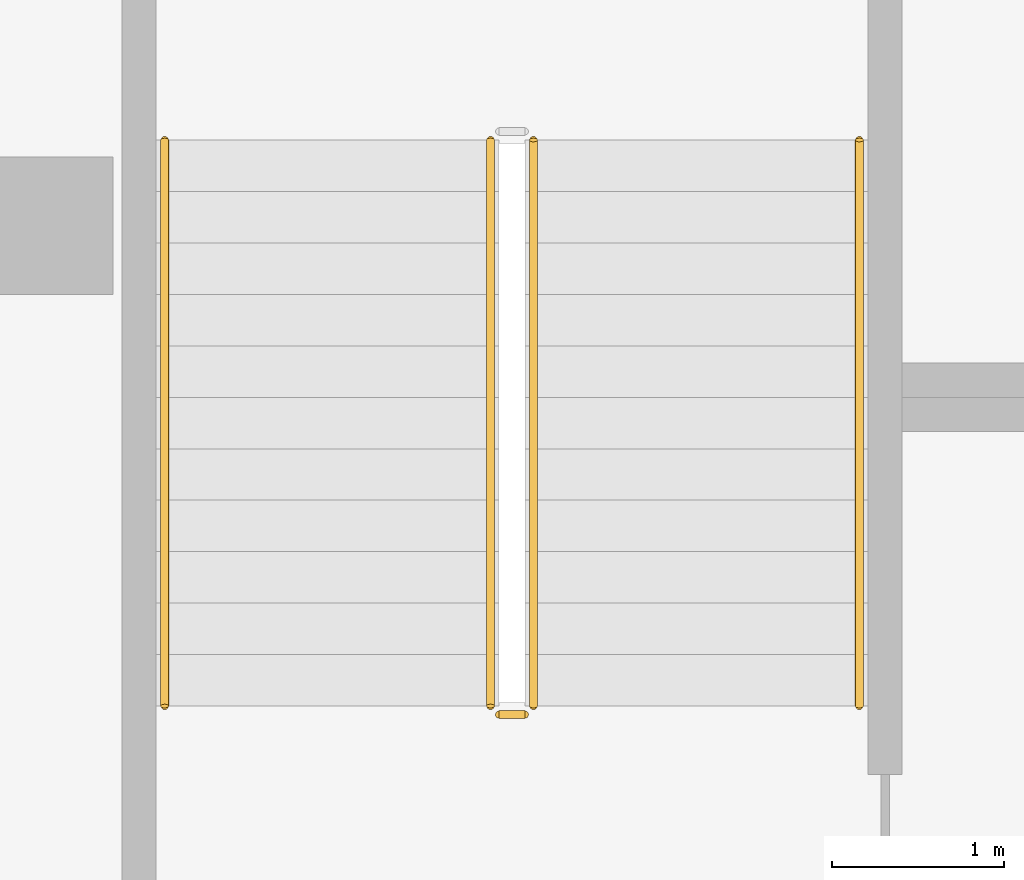
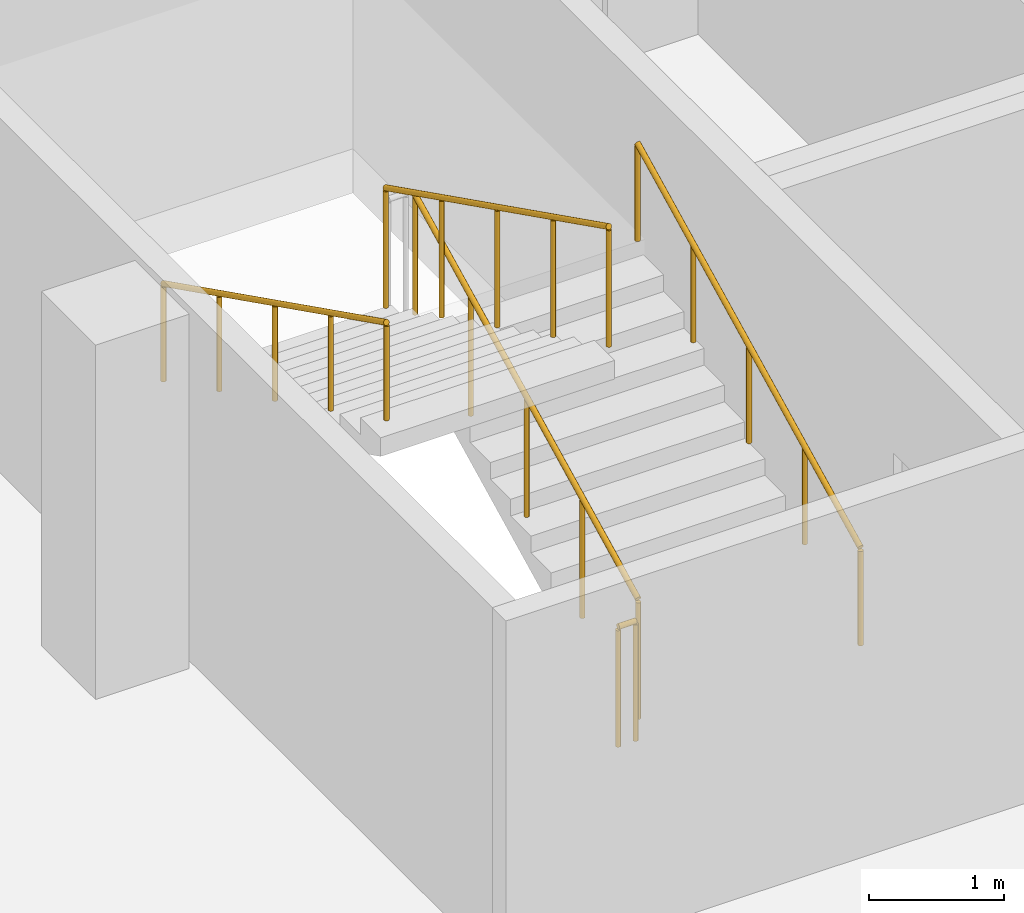
# One storey, part 23 of 37: 5 railings.
"""IFC4 building model written with IfcOpenShell, lengths in metres."""

from ifc_helpers import new_model, si_unit, direction, frame, origin, origin_2d, place, context, subcontext, project, spatial, circle, extrude, material, type_object, element, save


model = new_model("IFC4")

# Units and contexts
model_context = context("Model", 3, precision=1e-05, world=origin(), true_north=direction((0.0, 1.0)))
body_context = subcontext(model_context, "Body", "Model", "MODEL_VIEW")
ifc_project = project(units=[si_unit("LENGTHUNIT", "METRE"), si_unit("AREAUNIT", "SQUARE_METRE"), si_unit("VOLUMEUNIT", "CUBIC_METRE"), si_unit("PLANEANGLEUNIT", "RADIAN"), si_unit("MASSUNIT", "GRAM", prefix="KILO")], contexts=[model_context])

# Site, building, storey
site_placement = place(None, origin())
site = spatial("IfcSite", under=ifc_project, at=site_placement, CompositionType="ELEMENT")
building_placement = place(site_placement, origin())
building = spatial("IfcBuilding", under=site, at=building_placement, Name="Tamra Quay Hotel Tower", CompositionType="ELEMENT")
storey_placement = place(building_placement, frame((0.0, 0.0, -7.199951171875)))
storey = spatial("IfcBuildingStorey", under=building, at=storey_placement, Name="B2", CompositionType="ELEMENT", Elevation=-7.199951171875)

# Railings
ifc_material_1 = material(Name="Basement stair guard 1100")
railing_type_1 = type_object("IfcRailingType", Name="Basement stair guard 1100", PredefinedType="GUARDRAIL", material=ifc_material_1)
railing_1_placement = place(storey_placement, frame((-19.050048828125, -50.800048828125, 0.14990234375)))
element("IfcRailing", 1, at=railing_1_placement, inside=storey, type_object=railing_type_1, Name="BSG", PredefinedType="GUARDRAIL", context=body_context, shape_type="SweptSolid", body=[
    extrude(circle(Radius=0.02392578125, at=origin_2d()), frame((0.0, 0.0, 1.076171875), z_axis=(0.0, 0.894413956696, 0.447240063129), x_axis=(-1.0, 0.0, 0.0)), (0.0, 0.0, 1.0), 3.689697265625),
    extrude(circle(Radius=0.02099609375, at=origin_2d()), origin(), (0.0, 0.0, 1.0), 1.052001953125),
    extrude(circle(Radius=0.02099609375, at=origin_2d()), frame((0.0, 0.824951171875, 0.41259765625)), (0.0, 0.0, 1.0), 1.052001953125),
    extrude(circle(Radius=0.02099609375, at=origin_2d()), frame((0.0, 1.64990234375, 0.8251953125)), (0.0, 0.0, 1.0), 1.052001953125),
    extrude(circle(Radius=0.02099609375, at=origin_2d()), frame((0.0, 2.47509765625, 1.237548828125)), (0.0, 0.0, 1.0), 1.052001953125),
    extrude(circle(Radius=0.02099609375, at=origin_2d()), frame((0.0, 3.300048828125, 1.650146484375)), (0.0, 0.0, 1.0), 1.052001953125),
])
railing_2_placement = place(storey_placement, frame((-19.300048828125, -47.5, 1.949951171875)))
element("IfcRailing", 2, at=railing_2_placement, inside=storey, type_object=railing_type_1, Name="BSG", PredefinedType="GUARDRAIL", context=body_context, shape_type="SweptSolid", body=[
    extrude(circle(Radius=0.02392578125, at=origin_2d()), frame((0.0, 0.0, 1.076171875), z_axis=(0.0, -0.894440424912, 0.447187126696), x_axis=(1.0, 0.0, 0.0)), (0.0, 0.0, 1.0), 3.689453125),
    extrude(circle(Radius=0.02099609375, at=origin_2d()), origin(), (0.0, 0.0, 1.0), 1.052001953125),
    extrude(circle(Radius=0.02099609375, at=origin_2d()), frame((0.0, -0.824951171875, 0.41259765625)), (0.0, 0.0, 1.0), 1.052001953125),
    extrude(circle(Radius=0.02099609375, at=origin_2d()), frame((0.0, -1.64990234375, 0.824951171875)), (0.0, 0.0, 1.0), 1.052001953125),
    extrude(circle(Radius=0.02099609375, at=origin_2d()), frame((0.0, -2.47509765625, 1.2373046875)), (0.0, 0.0, 1.0), 1.052001953125),
    extrude(circle(Radius=0.02099609375, at=origin_2d()), frame((0.0, -3.300048828125, 1.64990234375)), (0.0, 0.0, 1.0), 1.052001953125),
])
railing_3_placement = place(storey_placement, frame((-19.10009765625, -50.85009765625, 0.0)))
element("IfcRailing", 3, at=railing_3_placement, inside=storey, type_object=railing_type_1, Name="BSG", PredefinedType="GUARDRAIL", context=body_context, shape_type="SweptSolid", body=[
    extrude(circle(Radius=0.02392578125, at=origin_2d()), frame((0.0, 0.0, 1.076171875), z_axis=(-1.0, 0.0, 0.0), x_axis=(0.0, -1.0, 0.0)), (0.0, 0.0, 1.0), 0.14990234375),
    extrude(circle(Radius=0.02099609375, at=origin_2d()), origin(), (0.0, 0.0, 1.0), 1.052001953125),
    extrude(circle(Radius=0.02099609375, at=origin_2d()), frame((-0.14990234375, 0.0, 0.0)), (0.0, 0.0, 1.0), 1.052001953125),
])
ifc_material_2 = material(Name="Basement stair handrail 900")
railing_type_2 = type_object("IfcRailingType", Name="Basement stair handrail 900", PredefinedType="HANDRAIL", material=ifc_material_2)
railing_4_placement = place(storey_placement, frame((-17.14990234375, -50.800048828125, 0.14990234375)))
element("IfcRailing", 4, at=railing_4_placement, inside=storey, type_object=railing_type_2, Name="BSH", PredefinedType="HANDRAIL", context=body_context, shape_type="SweptSolid", body=[
    extrude(circle(Radius=0.02392578125, at=origin_2d()), frame((0.0, 0.0, 0.8759765625), z_axis=(0.0, 0.894413956696, 0.447240063129), x_axis=(-1.0, 0.0, 0.0)), (0.0, 0.0, 1.0), 3.689697265625),
    extrude(circle(Radius=0.02099609375, at=origin_2d()), origin(), (0.0, 0.0, 1.0), 0.851806640625),
    extrude(circle(Radius=0.02099609375, at=origin_2d()), frame((0.0, 0.824951171875, 0.41259765625)), (0.0, 0.0, 1.0), 0.851806640625),
    extrude(circle(Radius=0.02099609375, at=origin_2d()), frame((0.0, 1.64990234375, 0.8251953125)), (0.0, 0.0, 1.0), 0.851806640625),
    extrude(circle(Radius=0.02099609375, at=origin_2d()), frame((0.0, 2.47509765625, 1.237548828125)), (0.0, 0.0, 1.0), 0.851806640625),
    extrude(circle(Radius=0.02099609375, at=origin_2d()), frame((0.0, 3.300048828125, 1.650146484375)), (0.0, 0.0, 1.0), 0.851806640625),
])
railing_5_placement = place(storey_placement, frame((-21.199951171875, -47.5, 1.949951171875)))
element("IfcRailing", 5, at=railing_5_placement, inside=storey, type_object=railing_type_2, Name="BSH", PredefinedType="HANDRAIL", context=body_context, shape_type="SweptSolid", body=[
    extrude(circle(Radius=0.02392578125, at=origin_2d()), frame((0.0, 0.0, 0.8759765625), z_axis=(0.0, -0.894440424912, 0.447187126696), x_axis=(1.0, 0.0, 0.0)), (0.0, 0.0, 1.0), 3.689453125),
    extrude(circle(Radius=0.02099609375, at=origin_2d()), origin(), (0.0, 0.0, 1.0), 0.851806640625),
    extrude(circle(Radius=0.02099609375, at=origin_2d()), frame((0.0, -0.824951171875, 0.41259765625)), (0.0, 0.0, 1.0), 0.851806640625),
    extrude(circle(Radius=0.02099609375, at=origin_2d()), frame((0.0, -1.64990234375, 0.824951171875)), (0.0, 0.0, 1.0), 0.851806640625),
    extrude(circle(Radius=0.02099609375, at=origin_2d()), frame((0.0, -2.47509765625, 1.2373046875)), (0.0, 0.0, 1.0), 0.851806640625),
    extrude(circle(Radius=0.02099609375, at=origin_2d()), frame((0.0, -3.300048828125, 1.64990234375)), (0.0, 0.0, 1.0), 0.851806640625),
])

save(model, "model.ifc")
